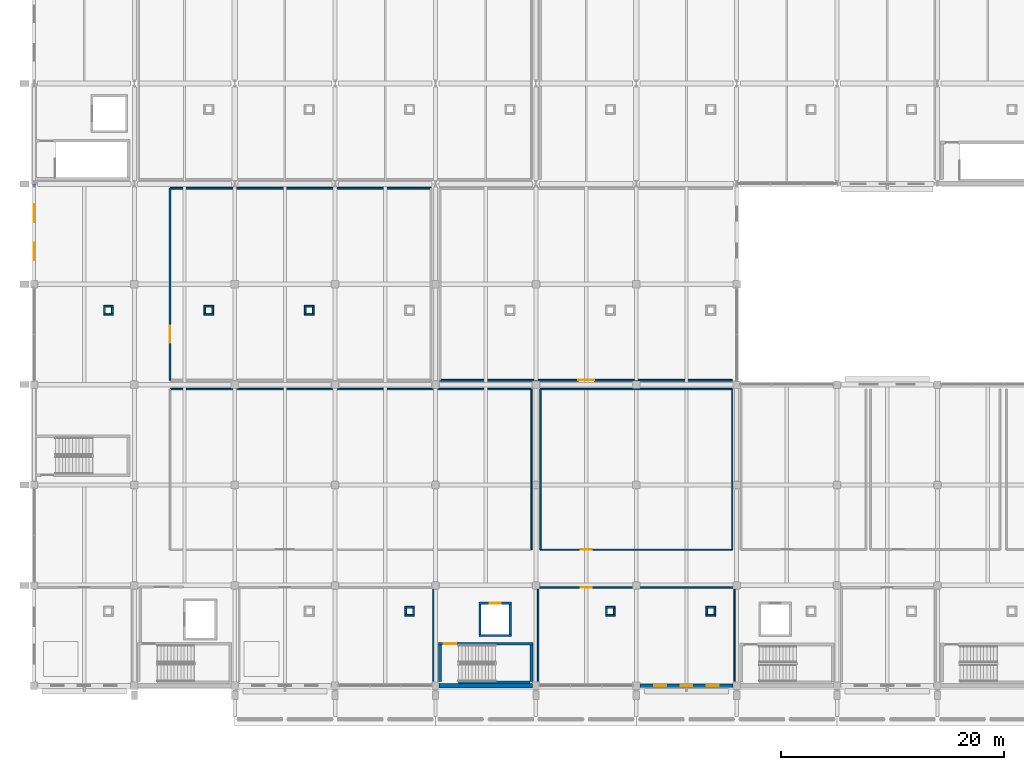
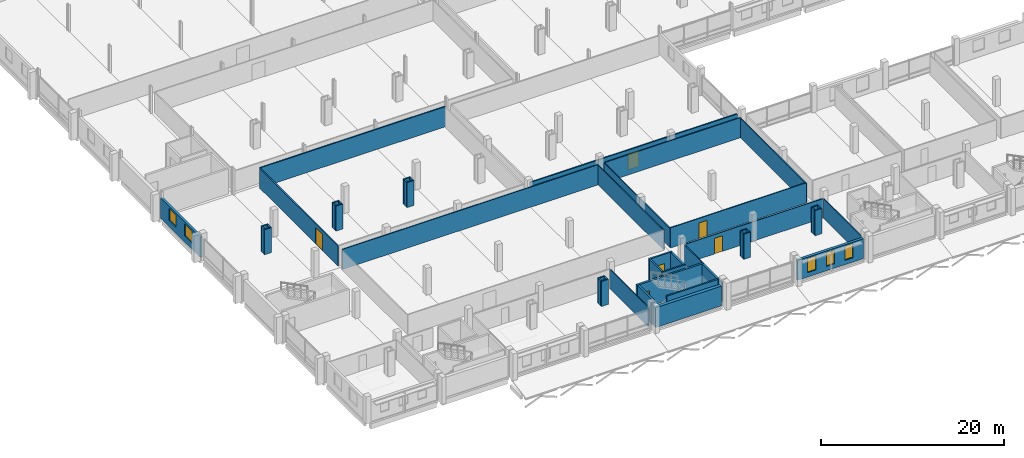
# One storey, part 102 of 132: 48 walls, 6 doors, 5 windows, 11 openings.
"""IFC4 building model written with IfcOpenShell, lengths in metres."""

from ifc_helpers import new_model, si_unit, direction, frame, frame_2d, origin, place, context, subcontext, project, spatial, rectangle, extrude, material, layer, layer_set, type_object, element, fill, save


model = new_model("IFC4")

# Units and contexts
model_context = context("Model", 3, precision=1e-05, world=origin(), true_north=direction((0.0, 1.0)))
body_context = subcontext(model_context, "Body", "Model", "MODEL_VIEW")
ifc_project = project(units=[si_unit("LENGTHUNIT", "METRE"), si_unit("AREAUNIT", "SQUARE_METRE"), si_unit("VOLUMEUNIT", "CUBIC_METRE"), si_unit("PLANEANGLEUNIT", "RADIAN"), si_unit("MASSUNIT", "GRAM", prefix="KILO")], contexts=[model_context])

# Site, building, storey
site_placement = place(None, origin())
site = spatial("IfcSite", under=ifc_project, at=site_placement, CompositionType="ELEMENT")
building_placement = place(site_placement, origin())
building = spatial("IfcBuilding", under=site, at=building_placement, Name="Tharagai Park Tramway Depot", CompositionType="ELEMENT")
storey_placement = place(building_placement, frame((0.0, 0.0, 4.800048828125)))
storey = spatial("IfcBuildingStorey", under=building, at=storey_placement, Name="L01", CompositionType="ELEMENT", Elevation=4.800048828125)

# Wall, openings, windows
ifc_material_1 = material(Name="Pressed clay brick", Category="masonry")
ifc_layer_1 = layer(ifc_material_1, 0.340087890625)
ifc_layer_set_1 = layer_set([ifc_layer_1], Name="Pressed clay brick")
wall_type_1 = type_object("IfcWallType", Name="EW-04", PredefinedType="SOLIDWALL", material=ifc_layer_set_1)
wall_1_placement = place(storey_placement, frame((54.322998046875, 0.0, 0.0), z_axis=(0.0, 0.0, 1.0), x_axis=(1.0, 0.0, 0.0)))
wall_1 = element("IfcWall", 1, at=wall_1_placement, inside=storey, type_object=wall_type_1, Name="L01 V4 Exterior Masonry Wall EW-04", PredefinedType="SOLIDWALL", context=body_context, shape_type="SweptSolid", body=[
    extrude(rectangle(XDim=8.35400390625, YDim=0.340087890625, at=frame_2d((4.177001953125, 0.0))), origin(), (0.0, 0.0, 1.0), 2.641845703125),
])
opening_1_placement = place(wall_1_placement, frame((1.301025390625, 0.0, 0.580078125)))
opening_1 = element("IfcOpeningElement", 2, at=opening_1_placement, cuts=wall_1, Name="Opening WN-18", PredefinedType="OPENING", context=body_context, shape_type="SweptSolid", body=[
    extrude(rectangle(XDim=1.050048828125, YDim=1.8798828125, at=frame_2d((0.52490234375, 0.93994140625))), frame((0.0, 0.179931640625, 0.0), z_axis=(0.0, -1.0, 0.0), x_axis=(1.0, 0.0, 0.0)), (0.0, 0.0, 1.0), 0.360107421875),
])
opening_2_placement = place(wall_1_placement, frame((3.652099609375, 0.0, 0.580078125)))
opening_2 = element("IfcOpeningElement", 3, at=opening_2_placement, cuts=wall_1, Name="Opening WN-18", PredefinedType="OPENING", context=body_context, shape_type="SweptSolid", body=[
    extrude(rectangle(XDim=1.050048828125, YDim=1.8798828125, at=frame_2d((0.52490234375, 0.93994140625))), frame((0.0, 0.179931640625, 0.0), z_axis=(0.0, -1.0, 0.0), x_axis=(1.0, 0.0, 0.0)), (0.0, 0.0, 1.0), 0.360107421875),
])
opening_3_placement = place(wall_1_placement, frame((6.0029296875, 0.0, 0.580078125)))
opening_3 = element("IfcOpeningElement", 4, at=opening_3_placement, cuts=wall_1, Name="Opening WN-18", PredefinedType="OPENING", context=body_context, shape_type="SweptSolid", body=[
    extrude(rectangle(XDim=1.050048828125, YDim=1.8798828125, at=frame_2d((0.52490234375, 0.93994140625))), frame((0.0, 0.179931640625, 0.0), z_axis=(0.0, -1.0, 0.0), x_axis=(1.0, 0.0, 0.0)), (0.0, 0.0, 1.0), 0.360107421875),
])
ifc_material_2 = material(Name="Laminated solar-control glass", Category="glass")
window_type_1 = type_object("IfcWindowType", Name="WN-18", PartitioningType="SINGLE_PANEL", PredefinedType="WINDOW", material=ifc_material_2)
window_1_placement = place(opening_1_placement, origin())
window_1 = element("IfcWindow", 5, at=window_1_placement, inside=storey, type_object=window_type_1, Name="L01 V4 Gothic Lancet Window WN-18", OverallHeight=1.8798828125, OverallWidth=1.050048828125, PartitioningType="SINGLE_PANEL", PredefinedType="WINDOW", context=body_context, shape_type="SweptSolid", body=[
    extrude(rectangle(XDim=1.050048828125, YDim=1.8798828125, at=frame_2d((0.52490234375, 0.93994140625))), frame((0.0, 0.030029296875, 0.0), z_axis=(0.0, -1.0, 0.0), x_axis=(1.0, 0.0, 0.0)), (0.0, 0.0, 1.0), 0.06005859375),
])
fill(opening_1, window_1)
window_2_placement = place(opening_2_placement, origin())
window_2 = element("IfcWindow", 6, at=window_2_placement, inside=storey, type_object=window_type_1, Name="L01 V4 Gothic Lancet Window WN-18", OverallHeight=1.8798828125, OverallWidth=1.050048828125, PartitioningType="SINGLE_PANEL", PredefinedType="WINDOW", context=body_context, shape_type="SweptSolid", body=[
    extrude(rectangle(XDim=1.050048828125, YDim=1.8798828125, at=frame_2d((0.52490234375, 0.93994140625))), frame((0.0, 0.030029296875, 0.0), z_axis=(0.0, -1.0, 0.0), x_axis=(1.0, 0.0, 0.0)), (0.0, 0.0, 1.0), 0.06005859375),
])
fill(opening_2, window_2)
window_3_placement = place(opening_3_placement, origin())
window_3 = element("IfcWindow", 7, at=window_3_placement, inside=storey, type_object=window_type_1, Name="L01 V4 Gothic Lancet Window WN-18", OverallHeight=1.8798828125, OverallWidth=1.050048828125, PartitioningType="SINGLE_PANEL", PredefinedType="WINDOW", context=body_context, shape_type="SweptSolid", body=[
    extrude(rectangle(XDim=1.050048828125, YDim=1.8798828125, at=frame_2d((0.52490234375, 0.93994140625))), frame((0.0, 0.030029296875, 0.0), z_axis=(0.0, -1.0, 0.0), x_axis=(1.0, 0.0, 0.0)), (0.0, 0.0, 1.0), 0.06005859375),
])
fill(opening_3, window_3)

# Wall
ifc_material_3 = material(Name="Charnockite stone", Category="masonry")
ifc_layer_2 = layer(ifc_material_3, 0.419921875)
ifc_layer_set_2 = layer_set([ifc_layer_2], Name="Charnockite stone")
wall_type_2 = type_object("IfcWallType", Name="EW-07", PredefinedType="SOLIDWALL", material=ifc_layer_set_2)
wall_2_placement = place(storey_placement, frame((36.322998046875, 0.0, 0.0), z_axis=(0.0, 0.0, 1.0), x_axis=(1.0, 0.0, 0.0)))
element("IfcWall", 8, at=wall_2_placement, inside=storey, type_object=wall_type_2, Name="L01 V4 Exterior Masonry Wall EW-07", PredefinedType="SOLIDWALL", context=body_context, shape_type="SweptSolid", body=[
    extrude(rectangle(XDim=8.35400390625, YDim=0.419921875, at=frame_2d((4.177001953125, 0.0))), origin(), (0.0, 0.0, 1.0), 2.641845703125),
])

# Wall, openings, windows
ifc_layer_3 = layer(ifc_material_1, 0.300048828125)
ifc_layer_set_3 = layer_set([ifc_layer_3], Name="Pressed clay brick")
wall_type_3 = type_object("IfcWallType", Name="EW-08", PredefinedType="SOLIDWALL", material=ifc_layer_set_3)
wall_3_placement = place(storey_placement, frame((0.0, 36.322998046875, 0.0), z_axis=(0.0, 0.0, 1.0), x_axis=(0.0, 1.0, 0.0)))
wall_3 = element("IfcWall", 9, at=wall_3_placement, inside=storey, type_object=wall_type_3, Name="L01 V4 Exterior Masonry Wall EW-08", PredefinedType="SOLIDWALL", context=body_context, shape_type="SweptSolid", body=[
    extrude(rectangle(XDim=8.673095703125, YDim=0.300048828125, at=frame_2d((4.33642578125, 0.0))), origin(), (0.0, 0.0, 1.0), 2.701904296875),
])
opening_4_placement = place(wall_3_placement, frame((1.837890625, 0.0, 0.85009765625)))
opening_4 = element("IfcOpeningElement", 10, at=opening_4_placement, cuts=wall_3, Name="Opening WN-33", PredefinedType="OPENING", context=body_context, shape_type="SweptSolid", body=[
    extrude(rectangle(XDim=1.580078125, YDim=1.60009765625, at=frame_2d((0.7900390625, 0.800048828125))), frame((0.0, 0.159912109375, 0.0), z_axis=(0.0, -1.0, 0.0), x_axis=(1.0, 0.0, 0.0)), (0.0, 0.0, 1.0), 0.320068359375),
])
opening_5_placement = place(wall_3_placement, frame((5.2548828125, 0.0, 0.85009765625)))
opening_5 = element("IfcOpeningElement", 11, at=opening_5_placement, cuts=wall_3, Name="Opening WN-33", PredefinedType="OPENING", context=body_context, shape_type="SweptSolid", body=[
    extrude(rectangle(XDim=1.580078125, YDim=1.60009765625, at=frame_2d((0.7900390625, 0.800048828125))), frame((0.0, 0.159912109375, 0.0), z_axis=(0.0, -1.0, 0.0), x_axis=(1.0, 0.0, 0.0)), (0.0, 0.0, 1.0), 0.320068359375),
])
window_type_2 = type_object("IfcWindowType", Name="WN-33", PartitioningType="SINGLE_PANEL", PredefinedType="WINDOW", material=ifc_material_2)
window_4_placement = place(opening_4_placement, origin())
window_4 = element("IfcWindow", 12, at=window_4_placement, inside=storey, type_object=window_type_2, Name="L01 V4 Side Lancet Window WN-33", OverallHeight=1.60009765625, OverallWidth=1.580078125, PartitioningType="SINGLE_PANEL", PredefinedType="WINDOW", context=body_context, shape_type="SweptSolid", body=[
    extrude(rectangle(XDim=1.580078125, YDim=1.60009765625, at=frame_2d((0.7900390625, 0.800048828125))), frame((0.0, 0.030029296875, 0.0), z_axis=(0.0, -1.0, 0.0), x_axis=(1.0, 0.0, 0.0)), (0.0, 0.0, 1.0), 0.06005859375),
])
fill(opening_4, window_4)
window_5_placement = place(opening_5_placement, origin())
window_5 = element("IfcWindow", 13, at=window_5_placement, inside=storey, type_object=window_type_2, Name="L01 V4 Side Lancet Window WN-33", OverallHeight=1.60009765625, OverallWidth=1.580078125, PartitioningType="SINGLE_PANEL", PredefinedType="WINDOW", context=body_context, shape_type="SweptSolid", body=[
    extrude(rectangle(XDim=1.580078125, YDim=1.60009765625, at=frame_2d((0.7900390625, 0.800048828125))), frame((0.0, 0.030029296875, 0.0), z_axis=(0.0, -1.0, 0.0), x_axis=(1.0, 0.0, 0.0)), (0.0, 0.0, 1.0), 0.06005859375),
])
fill(opening_5, window_5)

# Walls
ifc_layer_4 = layer(ifc_material_1, 0.159912109375)
ifc_layer_set_4 = layer_set([ifc_layer_4], Name="Pressed clay brick")
wall_type_4 = type_object("IfcWallType", Name="IW-02", PredefinedType="PARTITIONING", material=ifc_layer_set_4)
for number, where, z_axis, x_axis, name in (
    (14, (33.239990234375, 6.320068359375, 0.0), (0.0, 0.0, 1.0), (1.0, 0.0, 0.0), "L01 Pipe Riser Enclosure Wall 17 S"),
    (15, (33.239990234375, 7.030029296875, 0.0), (0.0, 0.0, 1.0), (1.0, 0.0, 0.0), "L01 Pipe Riser Enclosure Wall 17 N"),
):
    element("IfcWall", number, at=place(storey_placement, frame(where, z_axis=z_axis, x_axis=x_axis)), inside=storey, type_object=wall_type_4, Name=name, PredefinedType="PARTITIONING", context=body_context, shape_type="SweptSolid", body=[
        extrude(rectangle(XDim=0.8701171875, YDim=0.159912109375, at=frame_2d((0.43505859375, 0.0))), origin(), (0.0, 0.0, 1.0), 3.349853515625),
    ])
for number, where, z_axis, x_axis, name in (
    (16, (33.320068359375, 6.39990234375, 0.0), (0.0, 0.0, 1.0), (0.0, 1.0, 0.0), "L01 Pipe Riser Enclosure Wall 17 W"),
    (17, (34.030029296875, 6.39990234375, 0.0), (0.0, 0.0, 1.0), (0.0, 1.0, 0.0), "L01 Pipe Riser Enclosure Wall 17 E"),
):
    element("IfcWall", number, at=place(storey_placement, frame(where, z_axis=z_axis, x_axis=x_axis)), inside=storey, type_object=wall_type_4, Name=name, PredefinedType="PARTITIONING", context=body_context, shape_type="SweptSolid", body=[
        extrude(rectangle(XDim=0.550048828125, YDim=0.159912109375, at=frame_2d((0.27490234375, 0.0))), origin(), (0.0, 0.0, 1.0), 3.349853515625),
    ])
for number, where, z_axis, x_axis, name in (
    (18, (51.239990234375, 6.320068359375, 0.0), (0.0, 0.0, 1.0), (1.0, 0.0, 0.0), "L01 Pipe Riser Enclosure Wall 18 S"),
    (19, (51.239990234375, 7.030029296875, 0.0), (0.0, 0.0, 1.0), (1.0, 0.0, 0.0), "L01 Pipe Riser Enclosure Wall 18 N"),
):
    element("IfcWall", number, at=place(storey_placement, frame(where, z_axis=z_axis, x_axis=x_axis)), inside=storey, type_object=wall_type_4, Name=name, PredefinedType="PARTITIONING", context=body_context, shape_type="SweptSolid", body=[
        extrude(rectangle(XDim=0.8701171875, YDim=0.159912109375, at=frame_2d((0.43505859375, 0.0))), origin(), (0.0, 0.0, 1.0), 3.349853515625),
    ])
for number, where, z_axis, x_axis, name in (
    (20, (51.320068359375, 6.39990234375, 0.0), (0.0, 0.0, 1.0), (0.0, 1.0, 0.0), "L01 Pipe Riser Enclosure Wall 18 W"),
    (21, (52.030029296875, 6.39990234375, 0.0), (0.0, 0.0, 1.0), (0.0, 1.0, 0.0), "L01 Pipe Riser Enclosure Wall 18 E"),
):
    element("IfcWall", number, at=place(storey_placement, frame(where, z_axis=z_axis, x_axis=x_axis)), inside=storey, type_object=wall_type_4, Name=name, PredefinedType="PARTITIONING", context=body_context, shape_type="SweptSolid", body=[
        extrude(rectangle(XDim=0.550048828125, YDim=0.159912109375, at=frame_2d((0.27490234375, 0.0))), origin(), (0.0, 0.0, 1.0), 3.349853515625),
    ])
for number, where, z_axis, x_axis, name in (
    (22, (60.239990234375, 6.320068359375, 0.0), (0.0, 0.0, 1.0), (1.0, 0.0, 0.0), "L01 Pipe Riser Enclosure Wall 19 S"),
    (23, (60.239990234375, 7.030029296875, 0.0), (0.0, 0.0, 1.0), (1.0, 0.0, 0.0), "L01 Pipe Riser Enclosure Wall 19 N"),
):
    element("IfcWall", number, at=place(storey_placement, frame(where, z_axis=z_axis, x_axis=x_axis)), inside=storey, type_object=wall_type_4, Name=name, PredefinedType="PARTITIONING", context=body_context, shape_type="SweptSolid", body=[
        extrude(rectangle(XDim=0.8701171875, YDim=0.159912109375, at=frame_2d((0.43505859375, 0.0))), origin(), (0.0, 0.0, 1.0), 3.349853515625),
    ])
for number, where, z_axis, x_axis, name in (
    (24, (60.320068359375, 6.39990234375, 0.0), (0.0, 0.0, 1.0), (0.0, 1.0, 0.0), "L01 Pipe Riser Enclosure Wall 19 W"),
    (25, (61.030029296875, 6.39990234375, 0.0), (0.0, 0.0, 1.0), (0.0, 1.0, 0.0), "L01 Pipe Riser Enclosure Wall 19 E"),
):
    element("IfcWall", number, at=place(storey_placement, frame(where, z_axis=z_axis, x_axis=x_axis)), inside=storey, type_object=wall_type_4, Name=name, PredefinedType="PARTITIONING", context=body_context, shape_type="SweptSolid", body=[
        extrude(rectangle(XDim=0.550048828125, YDim=0.159912109375, at=frame_2d((0.27490234375, 0.0))), origin(), (0.0, 0.0, 1.0), 3.349853515625),
    ])
for number, where, z_axis, x_axis, name in (
    (26, (6.239990234375, 33.320068359375, 0.0), (0.0, 0.0, 1.0), (1.0, 0.0, 0.0), "L01 Pipe Riser Enclosure Wall 24 S"),
    (27, (6.239990234375, 34.030029296875, 0.0), (0.0, 0.0, 1.0), (1.0, 0.0, 0.0), "L01 Pipe Riser Enclosure Wall 24 N"),
):
    element("IfcWall", number, at=place(storey_placement, frame(where, z_axis=z_axis, x_axis=x_axis)), inside=storey, type_object=wall_type_4, Name=name, PredefinedType="PARTITIONING", context=body_context, shape_type="SweptSolid", body=[
        extrude(rectangle(XDim=0.8701171875, YDim=0.159912109375, at=frame_2d((0.43505859375, 0.0))), origin(), (0.0, 0.0, 1.0), 3.349853515625),
    ])
for number, where, z_axis, x_axis, name in (
    (28, (6.320068359375, 33.39990234375, 0.0), (0.0, 0.0, 1.0), (0.0, 1.0, 0.0), "L01 Pipe Riser Enclosure Wall 24 W"),
    (29, (7.030029296875, 33.39990234375, 0.0), (0.0, 0.0, 1.0), (0.0, 1.0, 0.0), "L01 Pipe Riser Enclosure Wall 24 E"),
):
    element("IfcWall", number, at=place(storey_placement, frame(where, z_axis=z_axis, x_axis=x_axis)), inside=storey, type_object=wall_type_4, Name=name, PredefinedType="PARTITIONING", context=body_context, shape_type="SweptSolid", body=[
        extrude(rectangle(XDim=0.550048828125, YDim=0.159912109375, at=frame_2d((0.27490234375, 0.0))), origin(), (0.0, 0.0, 1.0), 3.349853515625),
    ])
for number, where, z_axis, x_axis, name in (
    (30, (15.239990234375, 33.320068359375, 0.0), (0.0, 0.0, 1.0), (1.0, 0.0, 0.0), "L01 Pipe Riser Enclosure Wall 25 S"),
    (31, (15.239990234375, 34.030029296875, 0.0), (0.0, 0.0, 1.0), (1.0, 0.0, 0.0), "L01 Pipe Riser Enclosure Wall 25 N"),
):
    element("IfcWall", number, at=place(storey_placement, frame(where, z_axis=z_axis, x_axis=x_axis)), inside=storey, type_object=wall_type_4, Name=name, PredefinedType="PARTITIONING", context=body_context, shape_type="SweptSolid", body=[
        extrude(rectangle(XDim=0.8701171875, YDim=0.159912109375, at=frame_2d((0.43505859375, 0.0))), origin(), (0.0, 0.0, 1.0), 3.349853515625),
    ])
for number, where, z_axis, x_axis, name in (
    (32, (15.320068359375, 33.39990234375, 0.0), (0.0, 0.0, 1.0), (0.0, 1.0, 0.0), "L01 Pipe Riser Enclosure Wall 25 W"),
    (33, (16.030029296875, 33.39990234375, 0.0), (0.0, 0.0, 1.0), (0.0, 1.0, 0.0), "L01 Pipe Riser Enclosure Wall 25 E"),
):
    element("IfcWall", number, at=place(storey_placement, frame(where, z_axis=z_axis, x_axis=x_axis)), inside=storey, type_object=wall_type_4, Name=name, PredefinedType="PARTITIONING", context=body_context, shape_type="SweptSolid", body=[
        extrude(rectangle(XDim=0.550048828125, YDim=0.159912109375, at=frame_2d((0.27490234375, 0.0))), origin(), (0.0, 0.0, 1.0), 3.349853515625),
    ])
for number, where, z_axis, x_axis, name in (
    (34, (24.239990234375, 33.320068359375, 0.0), (0.0, 0.0, 1.0), (1.0, 0.0, 0.0), "L01 Pipe Riser Enclosure Wall 26 S"),
    (35, (24.239990234375, 34.030029296875, 0.0), (0.0, 0.0, 1.0), (1.0, 0.0, 0.0), "L01 Pipe Riser Enclosure Wall 26 N"),
):
    element("IfcWall", number, at=place(storey_placement, frame(where, z_axis=z_axis, x_axis=x_axis)), inside=storey, type_object=wall_type_4, Name=name, PredefinedType="PARTITIONING", context=body_context, shape_type="SweptSolid", body=[
        extrude(rectangle(XDim=0.8701171875, YDim=0.159912109375, at=frame_2d((0.43505859375, 0.0))), origin(), (0.0, 0.0, 1.0), 3.349853515625),
    ])
for number, where, z_axis, x_axis, name in (
    (36, (24.320068359375, 33.39990234375, 0.0), (0.0, 0.0, 1.0), (0.0, 1.0, 0.0), "L01 Pipe Riser Enclosure Wall 26 W"),
    (37, (25.030029296875, 33.39990234375, 0.0), (0.0, 0.0, 1.0), (0.0, 1.0, 0.0), "L01 Pipe Riser Enclosure Wall 26 E"),
):
    element("IfcWall", number, at=place(storey_placement, frame(where, z_axis=z_axis, x_axis=x_axis)), inside=storey, type_object=wall_type_4, Name=name, PredefinedType="PARTITIONING", context=body_context, shape_type="SweptSolid", body=[
        extrude(rectangle(XDim=0.550048828125, YDim=0.159912109375, at=frame_2d((0.27490234375, 0.0))), origin(), (0.0, 0.0, 1.0), 3.349853515625),
    ])
wall_4_placement = place(storey_placement, frame((12.199951171875, 44.60009765625, 0.0), z_axis=(0.0, 0.0, 1.0), x_axis=(1.0, 0.0, 0.0)))
element("IfcWall", 38, at=wall_4_placement, inside=storey, type_object=wall_type_4, Name="Communications Server and UPS Plant Room Partition North", PredefinedType="PARTITIONING", context=body_context, shape_type="SweptSolid", body=[
    extrude(rectangle(XDim=23.400146484375, YDim=0.159912109375, at=frame_2d((11.7001953125, 0.0))), origin(), (0.0, 0.0, 1.0), 2.704833984375),
])

# Wall, opening, door
wall_5_placement = place(storey_placement, frame((12.199951171875, 27.39990234375, 0.0), z_axis=(0.0, 0.0, 1.0), x_axis=(0.0, 1.0, 0.0)))
wall_5 = element("IfcWall", 39, at=wall_5_placement, inside=storey, type_object=wall_type_4, Name="Communications Server and UPS Plant Room Partition West", PredefinedType="PARTITIONING", context=body_context, shape_type="SweptSolid", body=[
    extrude(rectangle(XDim=17.2001953125, YDim=0.159912109375, at=frame_2d((8.60009765625, 0.0))), origin(), (0.0, 0.0, 1.0), 2.64501953125),
])
opening_6_placement = place(wall_5_placement, frame((3.340087890625, 0.0, 0.0)))
opening_6 = element("IfcOpeningElement", 40, at=opening_6_placement, cuts=wall_5, Name="Opening ID-11", PredefinedType="OPENING", context=body_context, shape_type="SweptSolid", body=[
    extrude(rectangle(XDim=1.52001953125, YDim=2.159912109375, at=frame_2d((0.760009765625, 1.080078125))), frame((0.0, 0.08984375, 0.0), z_axis=(0.0, -1.0, 0.0), x_axis=(1.0, 0.0, 0.0)), (0.0, 0.0, 1.0), 0.179931640625),
])
ifc_material_4 = material(Name="Galvanised steel", Category="steel")
door_type_1 = type_object("IfcDoorType", Name="ID-11", OperationType="DOUBLE_SWING_LEFT", PredefinedType="DOOR", material=ifc_material_4)
door_1_placement = place(opening_6_placement, origin())
door_1 = element("IfcDoor", 41, at=door_1_placement, inside=storey, type_object=door_type_1, Name="Communications Server and UPS Plant Room Door", OperationType="DOUBLE_SWING_LEFT", OverallHeight=2.159912109375, OverallWidth=1.52001953125, PredefinedType="DOOR", context=body_context, shape_type="SweptSolid", body=[
    extrude(rectangle(XDim=1.52001953125, YDim=2.159912109375, at=frame_2d((0.760009765625, 1.080078125))), frame((0.0, 0.02490234375, 0.0), z_axis=(0.0, -1.0, 0.0), x_axis=(1.0, 0.0, 0.0)), (0.0, 0.0, 1.0), 0.050048828125),
])
fill(opening_6, door_1)

wall_6_placement = place(storey_placement, frame((36.39990234375, 27.39990234375, 0.0), z_axis=(0.0, 0.0, 1.0), x_axis=(1.0, 0.0, 0.0)))
wall_6 = element("IfcWall", 42, at=wall_6_placement, inside=storey, type_object=wall_type_4, Name="West Wing Chilled-Water AHU Plant Room Partition South", PredefinedType="PARTITIONING", context=body_context, shape_type="SweptSolid", body=[
    extrude(rectangle(XDim=26.2001953125, YDim=0.159912109375, at=frame_2d((13.10009765625, 0.0))), origin(), (0.0, 0.0, 1.0), 2.695068359375),
])
opening_7_placement = place(wall_6_placement, frame((12.389892578125, 0.0, 0.0)))
opening_7 = element("IfcOpeningElement", 43, at=opening_7_placement, cuts=wall_6, Name="Opening ID-06", PredefinedType="OPENING", context=body_context, shape_type="SweptSolid", body=[
    extrude(rectangle(XDim=1.419921875, YDim=2.1201171875, at=frame_2d((0.7099609375, 1.06005859375))), frame((0.0, 0.08984375, 0.0), z_axis=(0.0, -1.0, 0.0), x_axis=(1.0, 0.0, 0.0)), (0.0, 0.0, 1.0), 0.179931640625),
])
door_type_2 = type_object("IfcDoorType", Name="ID-06", OperationType="DOUBLE_SWING_LEFT", PredefinedType="DOOR", material=ifc_material_4)
door_2_placement = place(opening_7_placement, frame((1.419921875, 0.0, 0.0), z_axis=(0.0, 0.0, 1.0), x_axis=(-1.0, 0.0, 0.0)))
door_2 = element("IfcDoor", 44, at=door_2_placement, inside=storey, type_object=door_type_2, Name="West Wing Chilled-Water AHU Plant Room Door", OperationType="DOUBLE_SWING_LEFT", OverallHeight=2.1201171875, OverallWidth=1.419921875, PredefinedType="DOOR", context=body_context, shape_type="SweptSolid", body=[
    extrude(rectangle(XDim=1.419921875, YDim=2.1201171875, at=frame_2d((0.7099609375, 1.06005859375))), frame((0.0, 0.02490234375, 0.0), z_axis=(0.0, -1.0, 0.0), x_axis=(1.0, 0.0, 0.0)), (0.0, 0.0, 1.0), 0.050048828125),
])
fill(opening_7, door_2)

# Wall
ifc_material_5 = material(Name="Gypsum board", Category="gypsum")
ifc_layer_5 = layer(ifc_material_5, 0.1201171875)
ifc_layer_set_5 = layer_set([ifc_layer_5], Name="Gypsum board")
wall_type_5 = type_object("IfcWallType", Name="IW-03", PredefinedType="PARTITIONING", material=ifc_layer_set_5)
wall_7_placement = place(storey_placement, frame((35.800048828125, 0.39990234375, 0.0), z_axis=(0.0, 0.0, 1.0), x_axis=(0.0, 1.0, 0.0)))
element("IfcWall", 45, at=wall_7_placement, inside=storey, type_object=wall_type_5, Name="Rolling-Stock Engineering Studio Partition East", PredefinedType="PARTITIONING", context=body_context, shape_type="SweptSolid", body=[
    extrude(rectangle(XDim=8.400146484375, YDim=0.1201171875, at=frame_2d((4.2001953125, 0.0))), origin(), (0.0, 0.0, 1.0), 2.594970703125),
])

# Wall, opening, door
wall_8_placement = place(storey_placement, frame((45.199951171875, 8.800048828125, 0.0), z_axis=(0.0, 0.0, 1.0), x_axis=(1.0, 0.0, 0.0)))
wall_8 = element("IfcWall", 46, at=wall_8_placement, inside=storey, type_object=wall_type_5, Name="Signalling and Telecoms Bench Laboratory Partition North", PredefinedType="PARTITIONING", context=body_context, shape_type="SweptSolid", body=[
    extrude(rectangle(XDim=17.60009765625, YDim=0.1201171875, at=frame_2d((8.800048828125, 0.0))), origin(), (0.0, 0.0, 1.0), 2.594970703125),
])
opening_8_placement = place(wall_8_placement, frame((3.81005859375, 0.0, 0.0)))
opening_8 = element("IfcOpeningElement", 47, at=opening_8_placement, cuts=wall_8, Name="Opening ID-02", PredefinedType="OPENING", context=body_context, shape_type="SweptSolid", body=[
    extrude(rectangle(XDim=0.97998046875, YDim=2.080078125, at=frame_2d((0.489990234375, 1.0400390625))), frame((0.0, 0.070068359375, 0.0), z_axis=(0.0, -1.0, 0.0), x_axis=(1.0, 0.0, 0.0)), (0.0, 0.0, 1.0), 0.14013671875),
])
ifc_material_6 = material(Name="Pressed timber", Category="wood")
door_type_3 = type_object("IfcDoorType", Name="ID-02", OperationType="NOTDEFINED", PredefinedType="DOOR", material=ifc_material_6)
door_3_placement = place(opening_8_placement, origin())
door_3 = element("IfcDoor", 48, at=door_3_placement, inside=storey, type_object=door_type_3, Name="Signalling and Telecoms Bench Laboratory Door", OperationType="SINGLE_SWING_RIGHT", OverallHeight=2.080078125, OverallWidth=0.97998046875, PredefinedType="DOOR", context=body_context, shape_type="SweptSolid", body=[
    extrude(rectangle(XDim=0.97998046875, YDim=2.080078125, at=frame_2d((0.489990234375, 1.0400390625))), frame((0.0, 0.02490234375, 0.0), z_axis=(0.0, -1.0, 0.0), x_axis=(1.0, 0.0, 0.0)), (0.0, 0.0, 1.0), 0.050048828125),
])
fill(opening_8, door_3)

# Walls
for number, where, z_axis, x_axis, name in (
    (49, (45.199951171875, 0.39990234375, 0.0), (0.0, 0.0, 1.0), (0.0, 1.0, 0.0), "Signalling and Telecoms Bench Laboratory Partition West"),
    (50, (62.800048828125, 0.39990234375, 0.0), (0.0, 0.0, 1.0), (0.0, 1.0, 0.0), "Signalling and Telecoms Bench Laboratory Partition East"),
):
    element("IfcWall", number, at=place(storey_placement, frame(where, z_axis=z_axis, x_axis=x_axis)), inside=storey, type_object=wall_type_5, Name=name, PredefinedType="PARTITIONING", context=body_context, shape_type="SweptSolid", body=[
        extrude(rectangle(XDim=8.400146484375, YDim=0.1201171875, at=frame_2d((4.2001953125, 0.0))), origin(), (0.0, 0.0, 1.0), 2.594970703125),
    ])
wall_9_placement = place(storey_placement, frame((12.199951171875, 26.60009765625, 0.0), z_axis=(0.0, 0.0, 1.0), x_axis=(1.0, 0.0, 0.0)))
element("IfcWall", 51, at=wall_9_placement, inside=storey, type_object=wall_type_5, Name="PCB Diagnostics and Avionics Clean Room Partition North", PredefinedType="PARTITIONING", context=body_context, shape_type="SweptSolid", body=[
    extrude(rectangle(XDim=32.400146484375, YDim=0.1201171875, at=frame_2d((16.2001953125, 0.0))), origin(), (0.0, 0.0, 1.0), 2.695068359375),
])
wall_10_placement = place(storey_placement, frame((44.60009765625, 12.199951171875, 0.0), z_axis=(0.0, 0.0, 1.0), x_axis=(0.0, 1.0, 0.0)))
element("IfcWall", 52, at=wall_10_placement, inside=storey, type_object=wall_type_5, Name="PCB Diagnostics and Avionics Clean Room Partition East", PredefinedType="PARTITIONING", context=body_context, shape_type="SweptSolid", body=[
    extrude(rectangle(XDim=14.400146484375, YDim=0.1201171875, at=frame_2d((7.2001953125, 0.0))), origin(), (0.0, 0.0, 1.0), 2.594970703125),
])

# Wall, opening, door
wall_11_placement = place(storey_placement, frame((45.39990234375, 12.199951171875, 0.0), z_axis=(0.0, 0.0, 1.0), x_axis=(1.0, 0.0, 0.0)))
wall_11 = element("IfcWall", 53, at=wall_11_placement, inside=storey, type_object=wall_type_5, Name="Depot Engineering Review Room Partition South", PredefinedType="PARTITIONING", context=body_context, shape_type="SweptSolid", body=[
    extrude(rectangle(XDim=17.2001953125, YDim=0.1201171875, at=frame_2d((8.60009765625, 0.0))), origin(), (0.0, 0.0, 1.0), 2.695068359375),
])
opening_9_placement = place(wall_11_placement, frame((3.610107421875, 0.0, 0.0)))
opening_9 = element("IfcOpeningElement", 54, at=opening_9_placement, cuts=wall_11, Name="Opening ID-02", PredefinedType="OPENING", context=body_context, shape_type="SweptSolid", body=[
    extrude(rectangle(XDim=0.97998046875, YDim=2.080078125, at=frame_2d((0.489990234375, 1.0400390625))), frame((0.0, 0.070068359375, 0.0), z_axis=(0.0, -1.0, 0.0), x_axis=(1.0, 0.0, 0.0)), (0.0, 0.0, 1.0), 0.14013671875),
])
door_4_placement = place(opening_9_placement, frame((0.97998046875, 0.0, 0.0), z_axis=(0.0, 0.0, 1.0), x_axis=(-1.0, 0.0, 0.0)))
door_4 = element("IfcDoor", 55, at=door_4_placement, inside=storey, type_object=door_type_3, Name="Depot Engineering Review Room Door", OperationType="SINGLE_SWING_LEFT", OverallHeight=2.080078125, OverallWidth=0.97998046875, PredefinedType="DOOR", context=body_context, shape_type="SweptSolid", body=[
    extrude(rectangle(XDim=0.97998046875, YDim=2.080078125, at=frame_2d((0.489990234375, 1.0400390625))), frame((0.0, 0.02490234375, 0.0), z_axis=(0.0, -1.0, 0.0), x_axis=(1.0, 0.0, 0.0)), (0.0, 0.0, 1.0), 0.050048828125),
])
fill(opening_9, door_4)

# Walls
wall_12_placement = place(storey_placement, frame((45.39990234375, 26.60009765625, 0.0), z_axis=(0.0, 0.0, 1.0), x_axis=(1.0, 0.0, 0.0)))
element("IfcWall", 56, at=wall_12_placement, inside=storey, type_object=wall_type_5, Name="Depot Engineering Review Room Partition North", PredefinedType="PARTITIONING", context=body_context, shape_type="SweptSolid", body=[
    extrude(rectangle(XDim=17.2001953125, YDim=0.1201171875, at=frame_2d((8.60009765625, 0.0))), origin(), (0.0, 0.0, 1.0), 2.695068359375),
])
for number, where, z_axis, x_axis, name in (
    (57, (45.39990234375, 12.199951171875, 0.0), (0.0, 0.0, 1.0), (0.0, 1.0, 0.0), "Depot Engineering Review Room Partition West"),
    (58, (62.60009765625, 12.199951171875, 0.0), (0.0, 0.0, 1.0), (0.0, 1.0, 0.0), "Depot Engineering Review Room Partition East"),
):
    element("IfcWall", number, at=place(storey_placement, frame(where, z_axis=z_axis, x_axis=x_axis)), inside=storey, type_object=wall_type_5, Name=name, PredefinedType="PARTITIONING", context=body_context, shape_type="SweptSolid", body=[
        extrude(rectangle(XDim=14.400146484375, YDim=0.1201171875, at=frame_2d((7.2001953125, 0.0))), origin(), (0.0, 0.0, 1.0), 2.594970703125),
    ])

# Wall, opening, door
ifc_material_7 = material(Name="Concrete M40", Category="concrete")
ifc_layer_6 = layer(ifc_material_7, 0.239990234375)
ifc_layer_set_6 = layer_set([ifc_layer_6], Name="Concrete M40")
wall_type_6 = type_object("IfcWallType", Name="SW-01", PredefinedType="SHEAR", material=ifc_layer_set_6)
wall_13_placement = place(storey_placement, frame((36.280029296875, 3.77001953125, 0.0), z_axis=(0.0, 0.0, 1.0), x_axis=(1.0, 0.0, 0.0)))
wall_13 = element("IfcWall", 59, at=wall_13_placement, inside=storey, type_object=wall_type_6, Name="Core C2 L01 Shear Wall North", PredefinedType="SHEAR", context=body_context, shape_type="SweptSolid", body=[
    extrude(rectangle(XDim=8.43994140625, YDim=0.239990234375, at=frame_2d((4.219970703125, 0.0))), origin(), (0.0, 0.0, 1.0), 3.349853515625),
])
opening_10_placement = place(wall_13_placement, frame((0.47998046875, 0.0, 0.0)))
opening_10 = element("IfcOpeningElement", 60, at=opening_10_placement, cuts=wall_13, Name="Opening ID-05", PredefinedType="OPENING", context=body_context, shape_type="SweptSolid", body=[
    extrude(rectangle(XDim=1.080078125, YDim=2.080078125, at=frame_2d((0.5400390625, 1.0400390625))), frame((0.0, 0.1298828125, 0.0), z_axis=(0.0, -1.0, 0.0), x_axis=(1.0, 0.0, 0.0)), (0.0, 0.0, 1.0), 0.260009765625),
])
door_type_4 = type_object("IfcDoorType", Name="ID-05", OperationType="NOTDEFINED", PredefinedType="DOOR", material=ifc_material_4)
door_5_placement = place(opening_10_placement, frame((1.080078125, 0.0, 0.0), z_axis=(0.0, 0.0, 1.0), x_axis=(-1.0, 0.0, 0.0)))
door_5 = element("IfcDoor", 61, at=door_5_placement, inside=storey, type_object=door_type_4, Name="Stair ST-02 L01 Fire Door", OperationType="SINGLE_SWING_LEFT", OverallHeight=2.080078125, OverallWidth=1.080078125, PredefinedType="DOOR", context=body_context, shape_type="SweptSolid", body=[
    extrude(rectangle(XDim=1.080078125, YDim=2.080078125, at=frame_2d((0.5400390625, 1.0400390625))), frame((0.0, 0.02490234375, 0.0), z_axis=(0.0, -1.0, 0.0), x_axis=(1.0, 0.0, 0.0)), (0.0, 0.0, 1.0), 0.050048828125),
])
fill(opening_10, door_5)

# Walls
for number, where, z_axis, x_axis, name in (
    (62, (36.39990234375, 0.39990234375, 0.0), (0.0, 0.0, 1.0), (0.0, 1.0, 0.0), "Core C2 L01 Shear Wall West"),
    (63, (44.60009765625, 0.39990234375, 0.0), (0.0, 0.0, 1.0), (0.0, 1.0, 0.0), "Core C2 L01 Shear Wall East"),
):
    element("IfcWall", number, at=place(storey_placement, frame(where, z_axis=z_axis, x_axis=x_axis)), inside=storey, type_object=wall_type_6, Name=name, PredefinedType="SHEAR", context=body_context, shape_type="SweptSolid", body=[
        extrude(rectangle(XDim=3.25, YDim=0.239990234375, at=frame_2d((1.625, 0.0))), origin(), (0.0, 0.0, 1.0), 3.349853515625),
    ])
ifc_layer_7 = layer(ifc_material_7, 0.199951171875)
ifc_layer_set_7 = layer_set([ifc_layer_7], Name="Concrete M40")
wall_type_7 = type_object("IfcWallType", Name="SW-02", PredefinedType="SHEAR", material=ifc_layer_set_7)
wall_14_placement = place(storey_placement, frame((38.070068359375, 0.31494140625, 0.0), z_axis=(0.0, 0.0, 1.0), x_axis=(1.0, 0.0, 0.0)))
element("IfcWall", 64, at=wall_14_placement, inside=storey, type_object=wall_type_7, Name="Core C2 L01 Shear Bearing Liner South", PredefinedType="SHEAR", context=body_context, shape_type="SweptSolid", body=[
    extrude(rectangle(XDim=6.409912109375, YDim=0.199951171875, at=frame_2d((3.205078125, 0.0))), origin(), (0.0, 0.0, 1.0), 3.349853515625),
])
wall_15_placement = place(storey_placement, frame((39.89990234375, 4.5, 0.0), z_axis=(0.0, 0.0, 1.0), x_axis=(1.0, 0.0, 0.0)))
element("IfcWall", 65, at=wall_15_placement, inside=storey, type_object=wall_type_7, Name="Lift LP-01 L01 Shaft Wall South", PredefinedType="SHEAR", context=body_context, shape_type="SweptSolid", body=[
    extrude(rectangle(XDim=2.900146484375, YDim=0.199951171875, at=frame_2d((1.4501953125, 0.0))), origin(), (0.0, 0.0, 1.0), 3.349853515625),
])

# Wall, opening, door
wall_16_placement = place(storey_placement, frame((39.89990234375, 7.39990234375, 0.0), z_axis=(0.0, 0.0, 1.0), x_axis=(1.0, 0.0, 0.0)))
wall_16 = element("IfcWall", 66, at=wall_16_placement, inside=storey, type_object=wall_type_7, Name="Lift LP-01 L01 Shaft Wall North", PredefinedType="SHEAR", context=body_context, shape_type="SweptSolid", body=[
    extrude(rectangle(XDim=2.900146484375, YDim=0.199951171875, at=frame_2d((1.4501953125, 0.0))), origin(), (0.0, 0.0, 1.0), 3.349853515625),
])
opening_11_placement = place(wall_16_placement, frame((0.949951171875, 0.0, 0.0)))
opening_11 = element("IfcOpeningElement", 67, at=opening_11_placement, cuts=wall_16, Name="Opening LD-02", PredefinedType="OPENING", context=body_context, shape_type="SweptSolid", body=[
    extrude(rectangle(XDim=1.0, YDim=2.10009765625, at=frame_2d((0.5, 1.050048828125))), frame((0.0, 0.10986328125, 0.0), z_axis=(0.0, -1.0, 0.0), x_axis=(1.0, 0.0, 0.0)), (0.0, 0.0, 1.0), 0.219970703125),
])
ifc_material_8 = material(Name="Anodised aluminium", Category="aluminium")
door_type_5 = type_object("IfcDoorType", Name="LD-02", OperationType="SLIDING_TO_LEFT", PredefinedType="DOOR", material=ifc_material_8)
door_6_placement = place(opening_11_placement, origin())
door_6 = element("IfcDoor", 68, at=door_6_placement, inside=storey, type_object=door_type_5, Name="Lift LP-01 L01 Sliding Landing Door", OperationType="SLIDING_TO_LEFT", OverallHeight=2.10009765625, OverallWidth=1.0, PredefinedType="DOOR", context=body_context, shape_type="SweptSolid", body=[
    extrude(rectangle(XDim=1.0, YDim=2.10009765625, at=frame_2d((0.5, 1.050048828125))), frame((0.0, 0.02490234375, 0.0), z_axis=(0.0, -1.0, 0.0), x_axis=(1.0, 0.0, 0.0)), (0.0, 0.0, 1.0), 0.050048828125),
])
fill(opening_11, door_6)

# Walls
for number, where, z_axis, x_axis, name in (
    (69, (40.0, 4.60009765625, 0.0), (0.0, 0.0, 1.0), (0.0, 1.0, 0.0), "Lift LP-01 L01 Shaft Wall West"),
    (70, (42.699951171875, 4.60009765625, 0.0), (0.0, 0.0, 1.0), (0.0, 1.0, 0.0), "Lift LP-01 L01 Shaft Wall East"),
):
    element("IfcWall", number, at=place(storey_placement, frame(where, z_axis=z_axis, x_axis=x_axis)), inside=storey, type_object=wall_type_7, Name=name, PredefinedType="SHEAR", context=body_context, shape_type="SweptSolid", body=[
        extrude(rectangle(XDim=2.699951171875, YDim=0.199951171875, at=frame_2d((1.35009765625, 0.0))), origin(), (0.0, 0.0, 1.0), 3.349853515625),
    ])

save(model, "model.ifc")
